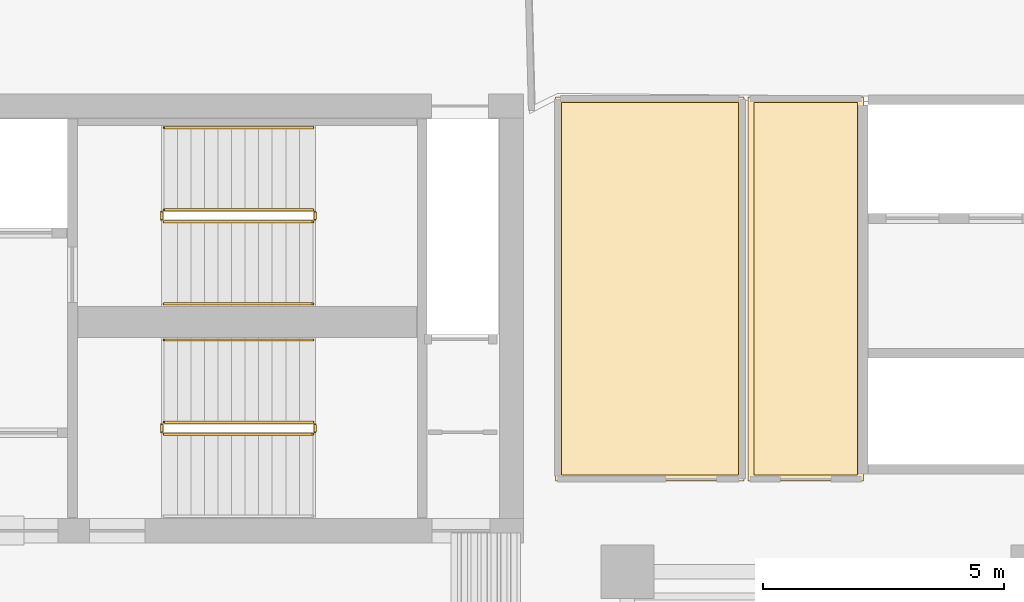
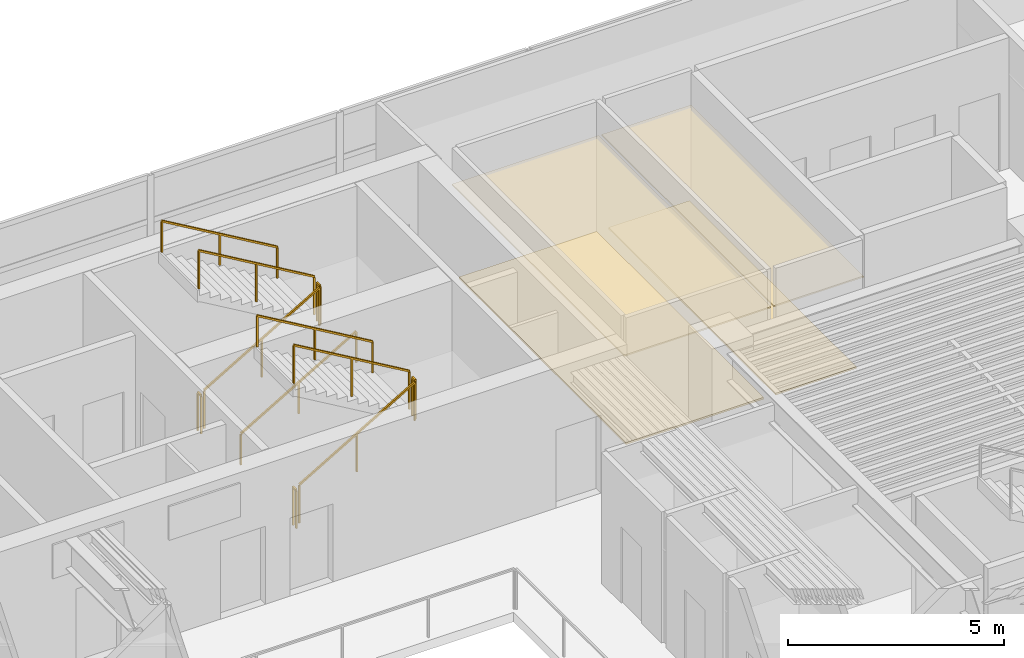
# One storey, part 12 of 13: 11 railings, 4 coverings.
"""IFC4 building model written with IfcOpenShell, lengths in metres."""

from ifc_helpers import new_model, si_unit, direction, frame, origin, origin_2d, place, context, subcontext, project, spatial, polyline, rectangle, outline, extrude, material, layer, layer_set, type_object, element, save


model = new_model("IFC4")

# Units and contexts
model_context = context("Model", 3, precision=1e-05, world=origin(), true_north=direction((0.0, 1.0)))
body_context = subcontext(model_context, "Body", "Model", "MODEL_VIEW")
ifc_project = project(units=[si_unit("LENGTHUNIT", "METRE"), si_unit("AREAUNIT", "SQUARE_METRE"), si_unit("VOLUMEUNIT", "CUBIC_METRE"), si_unit("PLANEANGLEUNIT", "RADIAN"), si_unit("MASSUNIT", "GRAM", prefix="KILO")], contexts=[model_context])

# Site, building, storey
site_placement = place(None, origin())
site = spatial("IfcSite", under=ifc_project, at=site_placement, CompositionType="ELEMENT")
building_placement = place(site_placement, origin())
building = spatial("IfcBuilding", under=site, at=building_placement, Name="Caeloran Harvest Quay", CompositionType="ELEMENT")
storey_placement = place(building_placement, frame((0.0, 0.0, 158.800048828125)))
storey = spatial("IfcBuildingStorey", under=building, at=storey_placement, Name="L37", CompositionType="ELEMENT", Elevation=158.800048828125)

# Coverings
ifc_material_1 = material(Name="Perforated Mineral-Fibre Acoustic Ceiling Tile", Category="ceiling")
ifc_layer_1 = layer(ifc_material_1, 0.0400390625, Name="Perforated Mineral-Fibre Acoustic Ceiling Tile")
ifc_layer_set_1 = layer_set([ifc_layer_1], Name="Perforated Mineral-Fibre Acoustic Ceiling Tile")
covering_type_1 = type_object("IfcCoveringType", Name="COV-CEILING-ACOUSTIC", PredefinedType="CEILING", material=ifc_layer_set_1)
covering_1_placement = place(storey_placement, frame((0.0, 0.0, 2.599853515625)))
element("IfcCovering", 1, at=covering_1_placement, inside=storey, type_object=covering_type_1, Name="L37 Crop Phenotyping West Laboratory Acoustic Ceiling", PredefinedType="CEILING", context=body_context, shape_type="SweptSolid", body=[
    extrude(outline(polyline([(27.919921875, 40.840087890625), (27.919921875, 32.8798828125), (24.010009765625, 32.8798828125), (24.010009765625, 40.840087890625), (27.919921875, 40.840087890625)])), origin(), (0.0, 0.0, 1.0), 0.0400390625),
])
covering_2_placement = place(storey_placement, frame((0.0, 0.0, 2.599853515625)))
element("IfcCovering", 2, at=covering_2_placement, inside=storey, type_object=covering_type_1, Name="L37 Genomics Sequencing East Studio Acoustic Ceiling", PredefinedType="CEILING", context=body_context, shape_type="SweptSolid", body=[
    extrude(outline(polyline([(30.389892578125, 40.840087890625), (30.389892578125, 32.8798828125), (28.0, 32.8798828125), (28.0, 40.840087890625), (30.389892578125, 40.840087890625)])), origin(), (0.0, 0.0, 1.0), 0.0400390625),
])
ifc_material_2 = material(Name="Calcium-Sulphate Raised Access Floor and Terrazzo Finish", Category="flooring")
ifc_layer_2 = layer(ifc_material_2, 0.050048828125, Name="Calcium-Sulphate Raised Access Floor and Terrazzo Finish")
ifc_layer_set_2 = layer_set([ifc_layer_2], Name="Calcium-Sulphate Raised Access Floor and Terrazzo Finish")
covering_type_2 = type_object("IfcCoveringType", Name="COV-FLOOR-RAISED", PredefinedType="FLOORING", material=ifc_layer_set_2)
covering_3_placement = place(storey_placement, origin())
element("IfcCovering", 3, at=covering_3_placement, inside=storey, type_object=covering_type_2, Name="L37 Crop Phenotyping West Laboratory Raised Finish Flooring", PredefinedType="FLOORING", context=body_context, shape_type="SweptSolid", body=[
    extrude(outline(polyline([(27.800048828125, 40.719970703125), (27.800048828125, 33.0), (24.1298828125, 33.0), (24.1298828125, 40.719970703125), (27.800048828125, 40.719970703125)])), origin(), (0.0, 0.0, 1.0), 0.050048828125),
])
covering_4_placement = place(storey_placement, origin())
element("IfcCovering", 4, at=covering_4_placement, inside=storey, type_object=covering_type_2, Name="L37 Genomics Sequencing East Studio Raised Finish Flooring", PredefinedType="FLOORING", context=body_context, shape_type="SweptSolid", body=[
    extrude(outline(polyline([(30.27001953125, 40.719970703125), (30.27001953125, 33.0), (28.1201171875, 33.0), (28.1201171875, 40.719970703125), (30.27001953125, 40.719970703125)])), origin(), (0.0, 0.0, 1.0), 0.050048828125),
])

# Railings
ifc_material_3 = material(Name="Painted Steel Baluster and Top-Rail Stair Guard", Category="steel")
ifc_layer_3 = layer(ifc_material_3, 0.050048828125, Name="Painted Steel Baluster and Top-Rail Stair Guard")
ifc_layer_set_3 = layer_set([ifc_layer_3], Name="Painted Steel Baluster and Top-Rail Stair Guard")
railing_type_1 = type_object("IfcRailingType", Name="STAIR-GUARD-1100", PredefinedType="GUARDRAIL", material=ifc_layer_set_3)
railing_1_placement = place(storey_placement, frame((15.89990234375, 38.25, 0.16455078125)))
element("IfcRailing", 5, at=railing_1_placement, inside=storey, type_object=railing_type_1, Name="L37 ST-C1 stair guard 1", PredefinedType="GUARDRAIL", context=body_context, shape_type="SweptSolid", body=[
    extrude(rectangle(XDim=0.048095703125, YDim=0.048095703125, at=origin_2d()), frame((0.0, 0.0, 1.076171875), z_axis=(0.862118610829, 0.0, 0.506706523406), x_axis=(0.0, 1.0, 0.0)), (0.0, 0.0, 1.0), 3.57275390625),
    extrude(rectangle(XDim=0.0419921875, YDim=0.0419921875, at=origin_2d()), origin(), (0.0, 0.0, 1.0), 1.052001953125),
    extrude(rectangle(XDim=0.0419921875, YDim=0.0419921875, at=origin_2d()), frame((1.5400390625, 0.0, 0.9052734375)), (0.0, 0.0, 1.0), 1.052001953125),
    extrude(rectangle(XDim=0.0419921875, YDim=0.0419921875, at=origin_2d()), frame((3.080078125, 0.0, 1.810302734375)), (0.0, 0.0, 1.0), 1.052001953125),
])
railing_2_placement = place(storey_placement, frame((19.030029296875, 38.300048828125, 1.974853515625)))
element("IfcRailing", 6, at=railing_2_placement, inside=storey, type_object=railing_type_1, Name="L37 ST-C1 stair guard 2", PredefinedType="GUARDRAIL", context=body_context, shape_type="SweptSolid", body=[
    extrude(rectangle(XDim=0.048095703125, YDim=0.048095703125, at=origin_2d()), frame((0.0, 0.0, 1.076171875), z_axis=(0.0, 1.0, 0.0), x_axis=(-1.0, 0.0, 0.0)), (0.0, 0.0, 1.0), 0.14990234375),
    extrude(rectangle(XDim=0.0419921875, YDim=0.0419921875, at=origin_2d()), origin(), (0.0, 0.0, 1.0), 1.052001953125),
    extrude(rectangle(XDim=0.0419921875, YDim=0.0419921875, at=origin_2d()), frame((0.0, 0.14990234375, 0.0)), (0.0, 0.0, 1.0), 1.052001953125),
])
railing_3_placement = place(storey_placement, frame((18.97998046875, 38.5, 2.1396484375)))
element("IfcRailing", 7, at=railing_3_placement, inside=storey, type_object=railing_type_1, Name="L37 ST-C1 stair guard 3", PredefinedType="GUARDRAIL", context=body_context, shape_type="SweptSolid", body=[
    extrude(rectangle(XDim=0.048095703125, YDim=0.048095703125, at=origin_2d()), frame((0.0, 0.0, 1.076171875), z_axis=(-0.862118610829, 0.0, 0.506706523406), x_axis=(0.0, -1.0, 0.0)), (0.0, 0.0, 1.0), 3.57275390625),
    extrude(rectangle(XDim=0.0419921875, YDim=0.0419921875, at=origin_2d()), origin(), (0.0, 0.0, 1.0), 1.052001953125),
    extrude(rectangle(XDim=0.0419921875, YDim=0.0419921875, at=origin_2d()), frame((-1.5400390625, 0.0, 0.9052734375)), (0.0, 0.0, 1.0), 1.052001953125),
    extrude(rectangle(XDim=0.0419921875, YDim=0.0419921875, at=origin_2d()), frame((-3.080078125, 0.0, 1.810302734375)), (0.0, 0.0, 1.0), 1.052001953125),
])
railing_4_placement = place(storey_placement, frame((15.85009765625, 38.300048828125, 0.0)))
element("IfcRailing", 8, at=railing_4_placement, inside=storey, type_object=railing_type_1, Name="L37 ST-C1 stair guard 4", PredefinedType="GUARDRAIL", context=body_context, shape_type="SweptSolid", body=[
    extrude(rectangle(XDim=0.048095703125, YDim=0.048095703125, at=origin_2d()), frame((0.0, 0.0, 1.076171875), z_axis=(0.0, 1.0, 0.0), x_axis=(-1.0, 0.0, 0.0)), (0.0, 0.0, 1.0), 0.14990234375),
    extrude(rectangle(XDim=0.0419921875, YDim=0.0419921875, at=origin_2d()), origin(), (0.0, 0.0, 1.0), 1.052001953125),
    extrude(rectangle(XDim=0.0419921875, YDim=0.0419921875, at=origin_2d()), frame((0.0, 0.14990234375, 0.0)), (0.0, 0.0, 1.0), 1.052001953125),
])
railing_5_placement = place(storey_placement, frame((15.89990234375, 33.85009765625, 0.16455078125)))
element("IfcRailing", 9, at=railing_5_placement, inside=storey, type_object=railing_type_1, Name="L37 ST-C2 stair guard 1", PredefinedType="GUARDRAIL", context=body_context, shape_type="SweptSolid", body=[
    extrude(rectangle(XDim=0.048095703125, YDim=0.048095703125, at=origin_2d()), frame((0.0, 0.0, 1.076171875), z_axis=(0.862118610829, 0.0, 0.506706523406), x_axis=(0.0, 1.0, 0.0)), (0.0, 0.0, 1.0), 3.57275390625),
    extrude(rectangle(XDim=0.0419921875, YDim=0.0419921875, at=origin_2d()), origin(), (0.0, 0.0, 1.0), 1.052001953125),
    extrude(rectangle(XDim=0.0419921875, YDim=0.0419921875, at=origin_2d()), frame((1.5400390625, 0.0, 0.9052734375)), (0.0, 0.0, 1.0), 1.052001953125),
    extrude(rectangle(XDim=0.0419921875, YDim=0.0419921875, at=origin_2d()), frame((3.080078125, 0.0, 1.810302734375)), (0.0, 0.0, 1.0), 1.052001953125),
])
railing_6_placement = place(storey_placement, frame((19.030029296875, 33.89990234375, 1.974853515625)))
element("IfcRailing", 10, at=railing_6_placement, inside=storey, type_object=railing_type_1, Name="L37 ST-C2 stair guard 2", PredefinedType="GUARDRAIL", context=body_context, shape_type="SweptSolid", body=[
    extrude(rectangle(XDim=0.048095703125, YDim=0.048095703125, at=origin_2d()), frame((0.0, 0.0, 1.076171875), z_axis=(0.0, 1.0, 0.0), x_axis=(-1.0, 0.0, 0.0)), (0.0, 0.0, 1.0), 0.150146484375),
    extrude(rectangle(XDim=0.0419921875, YDim=0.0419921875, at=origin_2d()), origin(), (0.0, 0.0, 1.0), 1.052001953125),
    extrude(rectangle(XDim=0.0419921875, YDim=0.0419921875, at=origin_2d()), frame((0.0, 0.150146484375, 0.0)), (0.0, 0.0, 1.0), 1.052001953125),
])
railing_7_placement = place(storey_placement, frame((18.97998046875, 34.10009765625, 2.1396484375)))
element("IfcRailing", 11, at=railing_7_placement, inside=storey, type_object=railing_type_1, Name="L37 ST-C2 stair guard 3", PredefinedType="GUARDRAIL", context=body_context, shape_type="SweptSolid", body=[
    extrude(rectangle(XDim=0.048095703125, YDim=0.048095703125, at=origin_2d()), frame((0.0, 0.0, 1.076171875), z_axis=(-0.862118610829, 0.0, 0.506706523406), x_axis=(0.0, -1.0, 0.0)), (0.0, 0.0, 1.0), 3.57275390625),
    extrude(rectangle(XDim=0.0419921875, YDim=0.0419921875, at=origin_2d()), origin(), (0.0, 0.0, 1.0), 1.052001953125),
    extrude(rectangle(XDim=0.0419921875, YDim=0.0419921875, at=origin_2d()), frame((-1.5400390625, 0.0, 0.9052734375)), (0.0, 0.0, 1.0), 1.052001953125),
    extrude(rectangle(XDim=0.0419921875, YDim=0.0419921875, at=origin_2d()), frame((-3.080078125, 0.0, 1.810302734375)), (0.0, 0.0, 1.0), 1.052001953125),
])
railing_8_placement = place(storey_placement, frame((15.85009765625, 33.89990234375, 0.0)))
element("IfcRailing", 12, at=railing_8_placement, inside=storey, type_object=railing_type_1, Name="L37 ST-C2 stair guard 4", PredefinedType="GUARDRAIL", context=body_context, shape_type="SweptSolid", body=[
    extrude(rectangle(XDim=0.048095703125, YDim=0.048095703125, at=origin_2d()), frame((0.0, 0.0, 1.076171875), z_axis=(0.0, 1.0, 0.0), x_axis=(-1.0, 0.0, 0.0)), (0.0, 0.0, 1.0), 0.150146484375),
    extrude(rectangle(XDim=0.0419921875, YDim=0.0419921875, at=origin_2d()), origin(), (0.0, 0.0, 1.0), 1.052001953125),
    extrude(rectangle(XDim=0.0419921875, YDim=0.0419921875, at=origin_2d()), frame((0.0, 0.150146484375, 0.0)), (0.0, 0.0, 1.0), 1.052001953125),
])
ifc_material_4 = material(Name="Brushed Stainless Steel Grade 304", Category="steel")
ifc_layer_4 = layer(ifc_material_4, 0.050048828125, Name="Brushed Stainless Steel Grade 304")
ifc_layer_set_4 = layer_set([ifc_layer_4], Name="Brushed Stainless Steel Grade 304")
railing_type_2 = type_object("IfcRailingType", Name="STAIR-HANDRAIL-900", PredefinedType="HANDRAIL", material=ifc_layer_set_4)
railing_9_placement = place(storey_placement, frame((15.89990234375, 36.550048828125, 0.16455078125)))
element("IfcRailing", 13, at=railing_9_placement, inside=storey, type_object=railing_type_2, Name="L37 ST-C1 stair handrail 1", PredefinedType="HANDRAIL", context=body_context, shape_type="SweptSolid", body=[
    extrude(rectangle(XDim=0.048095703125, YDim=0.048095703125, at=origin_2d()), frame((0.0, 0.0, 0.8759765625), z_axis=(0.862118610829, 0.0, 0.506706523406), x_axis=(0.0, 1.0, 0.0)), (0.0, 0.0, 1.0), 3.57275390625),
    extrude(rectangle(XDim=0.0419921875, YDim=0.0419921875, at=origin_2d()), origin(), (0.0, 0.0, 1.0), 0.851806640625),
    extrude(rectangle(XDim=0.0419921875, YDim=0.0419921875, at=origin_2d()), frame((1.5400390625, 0.0, 0.9052734375)), (0.0, 0.0, 1.0), 0.851806640625),
    extrude(rectangle(XDim=0.0419921875, YDim=0.0419921875, at=origin_2d()), frame((3.080078125, 0.0, 1.810302734375)), (0.0, 0.0, 1.0), 0.851806640625),
])
for number, where, name in (
    (14, (18.97998046875, 40.199951171875, 2.1396484375), "L37 ST-C1 stair handrail 2"),
    (15, (18.97998046875, 35.800048828125, 2.1396484375), "L37 ST-C2 stair handrail 2"),
):
    element("IfcRailing", number, at=place(storey_placement, frame(where)), inside=storey, type_object=railing_type_2, Name=name, PredefinedType="HANDRAIL", context=body_context, shape_type="SweptSolid", body=[
        extrude(rectangle(XDim=0.048095703125, YDim=0.048095703125, at=origin_2d()), frame((0.0, 0.0, 0.8759765625), z_axis=(-0.862118610829, 0.0, 0.506706523406), x_axis=(0.0, -1.0, 0.0)), (0.0, 0.0, 1.0), 3.57275390625),
        extrude(rectangle(XDim=0.0419921875, YDim=0.0419921875, at=origin_2d()), origin(), (0.0, 0.0, 1.0), 0.851806640625),
        extrude(rectangle(XDim=0.0419921875, YDim=0.0419921875, at=origin_2d()), frame((-1.5400390625, 0.0, 0.9052734375)), (0.0, 0.0, 1.0), 0.851806640625),
        extrude(rectangle(XDim=0.0419921875, YDim=0.0419921875, at=origin_2d()), frame((-3.080078125, 0.0, 1.810302734375)), (0.0, 0.0, 1.0), 0.851806640625),
    ])

save(model, "model.ifc")
